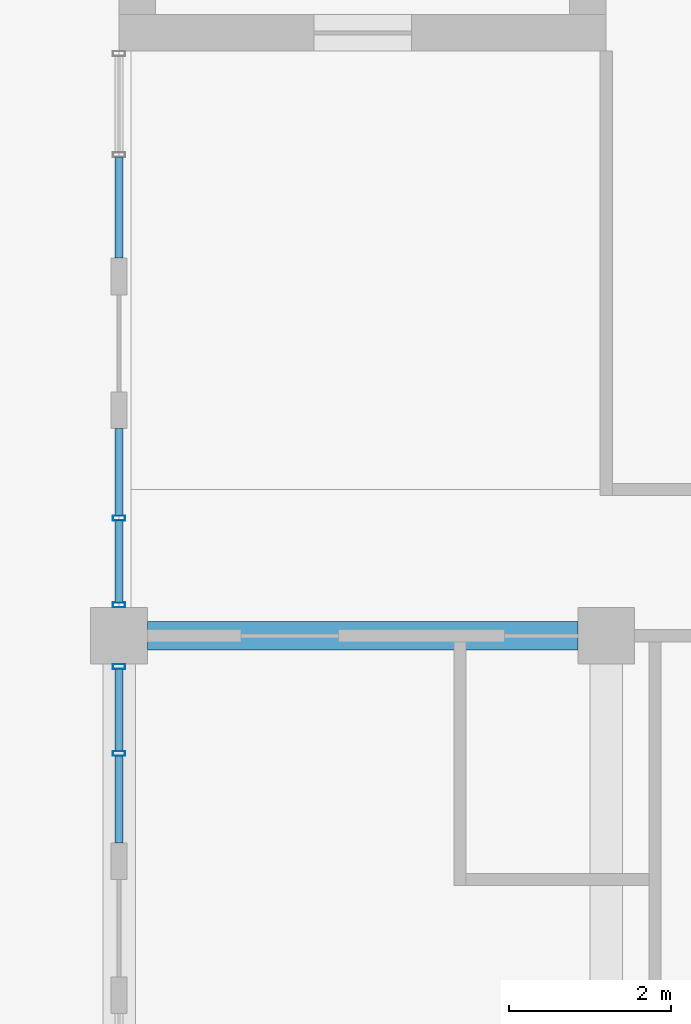
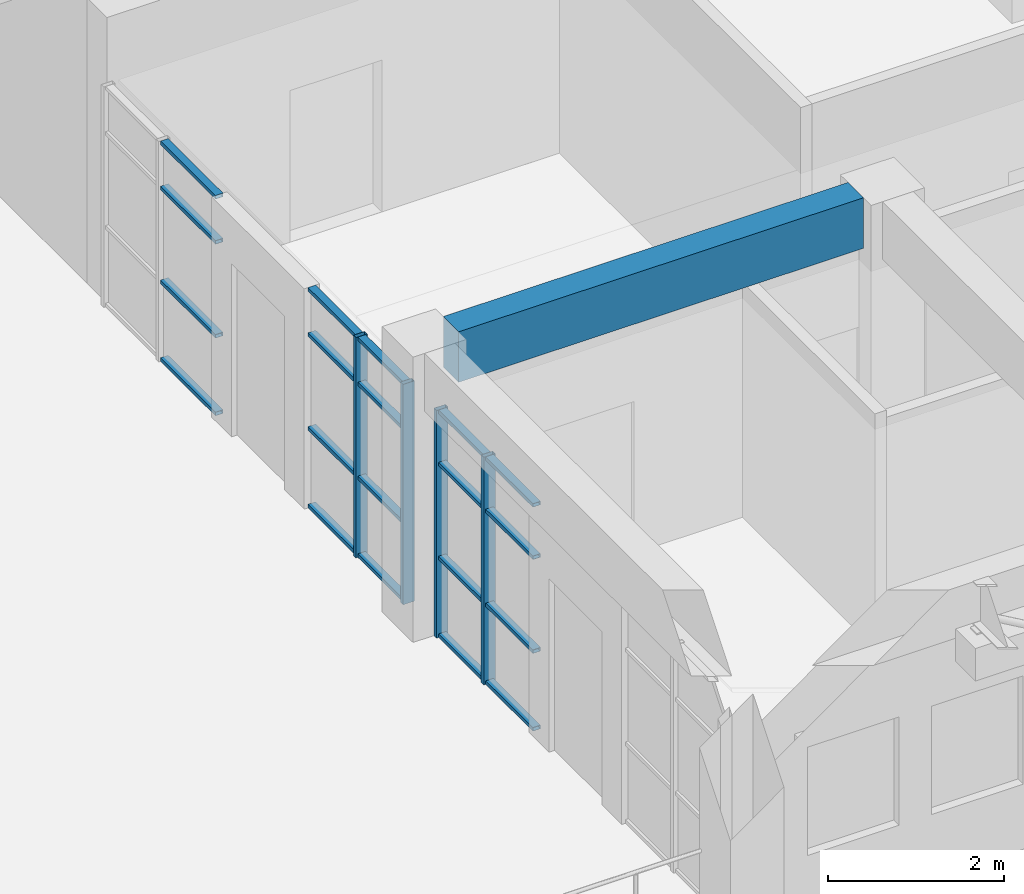
# One storey, part 32 of 103: 24 members, 1 beam, 3 elements without a shape of their own.
"""IFC4 building model written with IfcOpenShell, lengths in metres."""

from ifc_helpers import new_model, si_unit, direction, frame, origin, origin_2d, place, context, subcontext, project, spatial, rectangle, hollow_rectangle, extrude, material, material_profile, profile_set, type_object, element, aggregate, save


model = new_model("IFC4")

# Units and contexts
model_context = context("Model", 3, precision=1e-05, world=origin(), true_north=direction((0.0, 1.0)))
body_context = subcontext(model_context, "Body", "Model", "MODEL_VIEW")
ifc_project = project(units=[si_unit("LENGTHUNIT", "METRE"), si_unit("AREAUNIT", "SQUARE_METRE"), si_unit("VOLUMEUNIT", "CUBIC_METRE"), si_unit("PLANEANGLEUNIT", "RADIAN"), si_unit("MASSUNIT", "GRAM", prefix="KILO")], contexts=[model_context])

# Site, building, storey
site_placement = place(None, origin())
site = spatial("IfcSite", under=ifc_project, at=site_placement, CompositionType="ELEMENT")
building_placement = place(site_placement, origin())
building = spatial("IfcBuilding", under=site, at=building_placement, Name="Laocheng Heights Fire and Rescue Headquarters", CompositionType="ELEMENT")
storey_placement = place(building_placement, frame((0.0, 0.0, 4.199951171875)))
storey = spatial("IfcBuildingStorey", under=building, at=storey_placement, Name="L01", CompositionType="ELEMENT", Elevation=4.199951171875)

# Curtain wall, members
ifc_material_1 = material(Name="Dark anodised aluminium unitised curtain wall, low-e double glazing", Category="aluminium")
curtain_wall_type_1 = type_object("IfcCurtainWallType", Name="CW 2200 x 3150 CREW COURT GLAZING", PredefinedType="NOTDEFINED", material=ifc_material_1)
curtain_wall_1_placement = place(storey_placement, origin())
curtain_wall_1 = element("IfcCurtainWall", 1, at=curtain_wall_1_placement, inside=storey, type_object=curtain_wall_type_1, Name="X1-W CREW WEST L01", PredefinedType="NOTDEFINED")
ifc_material_2 = material(Name="Dark anodised aluminium 6063-T5 extrusion", Category="aluminium")
ifc_material_profile_1 = material_profile(ifc_material_2, hollow_rectangle(XDim=0.14990234375, YDim=0.06005859375, WallThickness=0.0029296875, at=origin_2d()), Name="AL MULLION 150x60x3 CREW COURT GLAZING")
ifc_profile_set_1 = profile_set([ifc_material_profile_1], Name="Dark anodised aluminium 6063-T5 extrusion")
member_type_1 = type_object("IfcMemberType", Name="AL MULLION 150x60x3 CREW COURT GLAZING", PredefinedType="MULLION", material=ifc_profile_set_1)
member_1_placement = place(storey_placement, frame((90.0, 41.75, 0.0), z_axis=(0.0, 0.0, 1.0), x_axis=(-1.0, 0.0, 0.0)))
member_1 = element("IfcMember", 2, at=member_1_placement, type_object=member_type_1, Name="X1-W mullion 2", PredefinedType="MULLION", context=body_context, shape_type="SweptSolid", body=[
    extrude(hollow_rectangle(XDim=0.14990234375, YDim=0.06005859375, WallThickness=0.0029296875, at=origin_2d()), origin(), (0.0, 0.0, 1.0), 3.150146484375),
])
member_2_placement = place(storey_placement, frame((90.0, 42.820068359375, 0.0), z_axis=(0.0, 0.0, 1.0), x_axis=(-1.0, 0.0, 0.0)))
member_2 = element("IfcMember", 3, at=member_2_placement, type_object=member_type_1, Name="X1-W mullion 3", PredefinedType="MULLION", context=body_context, shape_type="SweptSolid", body=[
    extrude(hollow_rectangle(XDim=0.14990234375, YDim=0.06005859375, WallThickness=0.0029296875, at=origin_2d()), origin(), (0.0, 0.0, 1.0), 3.150146484375),
])

ifc_material_3 = material(Name="Dark anodised aluminium unitised curtain wall, low-e double glazing", Category="aluminium")
curtain_wall_type_2 = type_object("IfcCurtainWallType", Name="CW 2200 x 3050 CREW COURT GLAZING", PredefinedType="NOTDEFINED", material=ifc_material_3)
curtain_wall_2_placement = place(storey_placement, origin())
curtain_wall_2 = element("IfcCurtainWall", 4, at=curtain_wall_2_placement, inside=storey, type_object=curtain_wall_type_2, Name="X2-W CREW WEST L01", PredefinedType="NOTDEFINED")
member_3_placement = place(storey_placement, frame((90.0, 43.580078125, 0.0), z_axis=(0.0, 0.0, 1.0), x_axis=(-1.0, 0.0, 0.0)))
member_3 = element("IfcMember", 5, at=member_3_placement, type_object=member_type_1, Name="X2-W mullion 1", PredefinedType="MULLION", context=body_context, shape_type="SweptSolid", body=[
    extrude(hollow_rectangle(XDim=0.14990234375, YDim=0.06005859375, WallThickness=0.0029296875, at=origin_2d()), origin(), (0.0, 0.0, 1.0), 3.050048828125),
])
member_4_placement = place(storey_placement, frame((90.0, 44.64990234375, 0.0), z_axis=(0.0, 0.0, 1.0), x_axis=(-1.0, 0.0, 0.0)))
member_4 = element("IfcMember", 6, at=member_4_placement, type_object=member_type_1, Name="X2-W mullion 2", PredefinedType="MULLION", context=body_context, shape_type="SweptSolid", body=[
    extrude(hollow_rectangle(XDim=0.14990234375, YDim=0.06005859375, WallThickness=0.0029296875, at=origin_2d()), origin(), (0.0, 0.0, 1.0), 3.050048828125),
])

# Member
ifc_material_4 = material(Name="Dark anodised aluminium 6063-T5 extrusion", Category="aluminium")
ifc_material_profile_2 = material_profile(ifc_material_4, hollow_rectangle(XDim=0.10009765625, YDim=0.050048828125, WallThickness=0.0029296875, at=origin_2d()), Name="AL TRANSOM 100x50x3 CREW COURT GLAZING")
ifc_profile_set_2 = profile_set([ifc_material_profile_2], Name="Dark anodised aluminium 6063-T5 extrusion")
member_type_2 = type_object("IfcMemberType", Name="AL TRANSOM 100x50x3 CREW COURT GLAZING", PredefinedType="USERDEFINED", material=ifc_profile_set_2)
member_5_placement = place(storey_placement, frame((90.0, 40.64990234375, 0.025146484375), z_axis=(0.0, 1.0, 0.0), x_axis=(-1.0, 0.0, 0.0)))
member_5 = element("IfcMember", 7, at=member_5_placement, type_object=member_type_2, Name="X1-W transom 1.1", ObjectType="TRANSOM", PredefinedType="USERDEFINED", context=body_context, shape_type="SweptSolid", body=[
    extrude(hollow_rectangle(XDim=0.10009765625, YDim=0.050048828125, WallThickness=0.0029296875, at=origin_2d()), origin(), (0.0, 0.0, 1.0), 1.070068359375),
])

member_6_placement = place(storey_placement, frame((90.0, 40.64990234375, 1.10009765625), z_axis=(0.0, 1.0, 0.0), x_axis=(-1.0, 0.0, 0.0)))
member_6 = element("IfcMember", 8, at=member_6_placement, type_object=member_type_2, Name="X1-W transom 1.2", ObjectType="TRANSOM", PredefinedType="USERDEFINED", context=body_context, shape_type="SweptSolid", body=[
    extrude(hollow_rectangle(XDim=0.10009765625, YDim=0.050048828125, WallThickness=0.0029296875, at=origin_2d()), origin(), (0.0, 0.0, 1.0), 1.070068359375),
])

member_7_placement = place(storey_placement, frame((90.0, 40.64990234375, 2.400146484375), z_axis=(0.0, 1.0, 0.0), x_axis=(-1.0, 0.0, 0.0)))
member_7 = element("IfcMember", 9, at=member_7_placement, type_object=member_type_2, Name="X1-W transom 1.3", ObjectType="TRANSOM", PredefinedType="USERDEFINED", context=body_context, shape_type="SweptSolid", body=[
    extrude(hollow_rectangle(XDim=0.10009765625, YDim=0.050048828125, WallThickness=0.0029296875, at=origin_2d()), origin(), (0.0, 0.0, 1.0), 1.070068359375),
])

member_8_placement = place(storey_placement, frame((90.0, 40.64990234375, 3.125), z_axis=(0.0, 1.0, 0.0), x_axis=(-1.0, 0.0, 0.0)))
member_8 = element("IfcMember", 10, at=member_8_placement, type_object=member_type_2, Name="X1-W transom 1.4", ObjectType="TRANSOM", PredefinedType="USERDEFINED", context=body_context, shape_type="SweptSolid", body=[
    extrude(hollow_rectangle(XDim=0.10009765625, YDim=0.050048828125, WallThickness=0.0029296875, at=origin_2d()), origin(), (0.0, 0.0, 1.0), 1.070068359375),
])

member_9_placement = place(storey_placement, frame((90.0, 41.780029296875, 0.025146484375), z_axis=(0.0, 1.0, 0.0), x_axis=(-1.0, 0.0, 0.0)))
member_9 = element("IfcMember", 11, at=member_9_placement, type_object=member_type_2, Name="X1-W transom 2.1", ObjectType="TRANSOM", PredefinedType="USERDEFINED", context=body_context, shape_type="SweptSolid", body=[
    extrude(hollow_rectangle(XDim=0.10009765625, YDim=0.050048828125, WallThickness=0.0029296875, at=origin_2d()), origin(), (0.0, 0.0, 1.0), 1.010009765625),
])

member_10_placement = place(storey_placement, frame((90.0, 41.780029296875, 1.10009765625), z_axis=(0.0, 1.0, 0.0), x_axis=(-1.0, 0.0, 0.0)))
member_10 = element("IfcMember", 12, at=member_10_placement, type_object=member_type_2, Name="X1-W transom 2.2", ObjectType="TRANSOM", PredefinedType="USERDEFINED", context=body_context, shape_type="SweptSolid", body=[
    extrude(hollow_rectangle(XDim=0.10009765625, YDim=0.050048828125, WallThickness=0.0029296875, at=origin_2d()), origin(), (0.0, 0.0, 1.0), 1.010009765625),
])

member_11_placement = place(storey_placement, frame((90.0, 41.780029296875, 2.400146484375), z_axis=(0.0, 1.0, 0.0), x_axis=(-1.0, 0.0, 0.0)))
member_11 = element("IfcMember", 13, at=member_11_placement, type_object=member_type_2, Name="X1-W transom 2.3", ObjectType="TRANSOM", PredefinedType="USERDEFINED", context=body_context, shape_type="SweptSolid", body=[
    extrude(hollow_rectangle(XDim=0.10009765625, YDim=0.050048828125, WallThickness=0.0029296875, at=origin_2d()), origin(), (0.0, 0.0, 1.0), 1.010009765625),
])

member_12_placement = place(storey_placement, frame((90.0, 41.780029296875, 3.125), z_axis=(0.0, 1.0, 0.0), x_axis=(-1.0, 0.0, 0.0)))
member_12 = element("IfcMember", 14, at=member_12_placement, type_object=member_type_2, Name="X1-W transom 2.4", ObjectType="TRANSOM", PredefinedType="USERDEFINED", context=body_context, shape_type="SweptSolid", body=[
    extrude(hollow_rectangle(XDim=0.10009765625, YDim=0.050048828125, WallThickness=0.0029296875, at=origin_2d()), origin(), (0.0, 0.0, 1.0), 1.010009765625),
])

aggregate(curtain_wall_1, [member_1, member_2, member_5, member_6, member_7, member_8, member_9, member_10, member_11, member_12])

member_13_placement = place(storey_placement, frame((90.0, 43.610107421875, 0.025146484375), z_axis=(0.0, 1.0, 0.0), x_axis=(-1.0, 0.0, 0.0)))
member_13 = element("IfcMember", 15, at=member_13_placement, type_object=member_type_2, Name="X2-W transom 1.1", ObjectType="TRANSOM", PredefinedType="USERDEFINED", context=body_context, shape_type="SweptSolid", body=[
    extrude(hollow_rectangle(XDim=0.10009765625, YDim=0.050048828125, WallThickness=0.0029296875, at=origin_2d()), origin(), (0.0, 0.0, 1.0), 1.010009765625),
])

member_14_placement = place(storey_placement, frame((90.0, 43.610107421875, 1.10009765625), z_axis=(0.0, 1.0, 0.0), x_axis=(-1.0, 0.0, 0.0)))
member_14 = element("IfcMember", 16, at=member_14_placement, type_object=member_type_2, Name="X2-W transom 1.2", ObjectType="TRANSOM", PredefinedType="USERDEFINED", context=body_context, shape_type="SweptSolid", body=[
    extrude(hollow_rectangle(XDim=0.10009765625, YDim=0.050048828125, WallThickness=0.0029296875, at=origin_2d()), origin(), (0.0, 0.0, 1.0), 1.010009765625),
])

member_15_placement = place(storey_placement, frame((90.0, 43.610107421875, 2.400146484375), z_axis=(0.0, 1.0, 0.0), x_axis=(-1.0, 0.0, 0.0)))
member_15 = element("IfcMember", 17, at=member_15_placement, type_object=member_type_2, Name="X2-W transom 1.3", ObjectType="TRANSOM", PredefinedType="USERDEFINED", context=body_context, shape_type="SweptSolid", body=[
    extrude(hollow_rectangle(XDim=0.10009765625, YDim=0.050048828125, WallThickness=0.0029296875, at=origin_2d()), origin(), (0.0, 0.0, 1.0), 1.010009765625),
])

member_16_placement = place(storey_placement, frame((90.0, 43.610107421875, 3.025146484375), z_axis=(0.0, 1.0, 0.0), x_axis=(-1.0, 0.0, 0.0)))
member_16 = element("IfcMember", 18, at=member_16_placement, type_object=member_type_2, Name="X2-W transom 1.4", ObjectType="TRANSOM", PredefinedType="USERDEFINED", context=body_context, shape_type="SweptSolid", body=[
    extrude(hollow_rectangle(XDim=0.10009765625, YDim=0.050048828125, WallThickness=0.0029296875, at=origin_2d()), origin(), (0.0, 0.0, 1.0), 1.010009765625),
])

member_17_placement = place(storey_placement, frame((90.0, 44.679931640625, 0.025146484375), z_axis=(0.0, 1.0, 0.0), x_axis=(-1.0, 0.0, 0.0)))
member_17 = element("IfcMember", 19, at=member_17_placement, type_object=member_type_2, Name="X2-W transom 2.1", ObjectType="TRANSOM", PredefinedType="USERDEFINED", context=body_context, shape_type="SweptSolid", body=[
    extrude(hollow_rectangle(XDim=0.10009765625, YDim=0.050048828125, WallThickness=0.0029296875, at=origin_2d()), origin(), (0.0, 0.0, 1.0), 1.070068359375),
])

member_18_placement = place(storey_placement, frame((90.0, 44.679931640625, 1.10009765625), z_axis=(0.0, 1.0, 0.0), x_axis=(-1.0, 0.0, 0.0)))
member_18 = element("IfcMember", 20, at=member_18_placement, type_object=member_type_2, Name="X2-W transom 2.2", ObjectType="TRANSOM", PredefinedType="USERDEFINED", context=body_context, shape_type="SweptSolid", body=[
    extrude(hollow_rectangle(XDim=0.10009765625, YDim=0.050048828125, WallThickness=0.0029296875, at=origin_2d()), origin(), (0.0, 0.0, 1.0), 1.070068359375),
])

member_19_placement = place(storey_placement, frame((90.0, 44.679931640625, 2.400146484375), z_axis=(0.0, 1.0, 0.0), x_axis=(-1.0, 0.0, 0.0)))
member_19 = element("IfcMember", 21, at=member_19_placement, type_object=member_type_2, Name="X2-W transom 2.3", ObjectType="TRANSOM", PredefinedType="USERDEFINED", context=body_context, shape_type="SweptSolid", body=[
    extrude(hollow_rectangle(XDim=0.10009765625, YDim=0.050048828125, WallThickness=0.0029296875, at=origin_2d()), origin(), (0.0, 0.0, 1.0), 1.070068359375),
])

member_20_placement = place(storey_placement, frame((90.0, 44.679931640625, 3.025146484375), z_axis=(0.0, 1.0, 0.0), x_axis=(-1.0, 0.0, 0.0)))
member_20 = element("IfcMember", 22, at=member_20_placement, type_object=member_type_2, Name="X2-W transom 2.4", ObjectType="TRANSOM", PredefinedType="USERDEFINED", context=body_context, shape_type="SweptSolid", body=[
    extrude(hollow_rectangle(XDim=0.10009765625, YDim=0.050048828125, WallThickness=0.0029296875, at=origin_2d()), origin(), (0.0, 0.0, 1.0), 1.070068359375),
])

aggregate(curtain_wall_2, [member_3, member_4, member_13, member_14, member_15, member_16, member_17, member_18, member_19, member_20])

# Curtain wall, members
ifc_material_5 = material(Name="Dark anodised aluminium unitised curtain wall, low-e double glazing", Category="aluminium")
curtain_wall_type_3 = type_object("IfcCurtainWallType", Name="CW 2550 x 3050 CREW COURT GLAZING", PredefinedType="NOTDEFINED", material=ifc_material_5)
curtain_wall_3_placement = place(storey_placement, origin())
curtain_wall_3 = element("IfcCurtainWall", 23, at=curtain_wall_3_placement, inside=storey, type_object=curtain_wall_type_3, Name="X3-W CREW WEST L01", PredefinedType="NOTDEFINED")
member_21_placement = place(storey_placement, frame((90.0, 47.85009765625, 0.025146484375), z_axis=(0.0, 1.0, 0.0), x_axis=(-1.0, 0.0, 0.0)))
member_21 = element("IfcMember", 24, at=member_21_placement, type_object=member_type_2, Name="X3-W transom 1.1", ObjectType="TRANSOM", PredefinedType="USERDEFINED", context=body_context, shape_type="SweptSolid", body=[
    extrude(hollow_rectangle(XDim=0.10009765625, YDim=0.050048828125, WallThickness=0.0029296875, at=origin_2d()), origin(), (0.0, 0.0, 1.0), 1.244873046875),
])
member_22_placement = place(storey_placement, frame((90.0, 47.85009765625, 1.10009765625), z_axis=(0.0, 1.0, 0.0), x_axis=(-1.0, 0.0, 0.0)))
member_22 = element("IfcMember", 25, at=member_22_placement, type_object=member_type_2, Name="X3-W transom 1.2", ObjectType="TRANSOM", PredefinedType="USERDEFINED", context=body_context, shape_type="SweptSolid", body=[
    extrude(hollow_rectangle(XDim=0.10009765625, YDim=0.050048828125, WallThickness=0.0029296875, at=origin_2d()), origin(), (0.0, 0.0, 1.0), 1.244873046875),
])
member_23_placement = place(storey_placement, frame((90.0, 47.85009765625, 2.400146484375), z_axis=(0.0, 1.0, 0.0), x_axis=(-1.0, 0.0, 0.0)))
member_23 = element("IfcMember", 26, at=member_23_placement, type_object=member_type_2, Name="X3-W transom 1.3", ObjectType="TRANSOM", PredefinedType="USERDEFINED", context=body_context, shape_type="SweptSolid", body=[
    extrude(hollow_rectangle(XDim=0.10009765625, YDim=0.050048828125, WallThickness=0.0029296875, at=origin_2d()), origin(), (0.0, 0.0, 1.0), 1.244873046875),
])
member_24_placement = place(storey_placement, frame((90.0, 47.85009765625, 3.025146484375), z_axis=(0.0, 1.0, 0.0), x_axis=(-1.0, 0.0, 0.0)))
member_24 = element("IfcMember", 27, at=member_24_placement, type_object=member_type_2, Name="X3-W transom 1.4", ObjectType="TRANSOM", PredefinedType="USERDEFINED", context=body_context, shape_type="SweptSolid", body=[
    extrude(hollow_rectangle(XDim=0.10009765625, YDim=0.050048828125, WallThickness=0.0029296875, at=origin_2d()), origin(), (0.0, 0.0, 1.0), 1.244873046875),
])
aggregate(curtain_wall_3, [member_21, member_22, member_23, member_24])

# Beam
ifc_material_6 = material(Name="Concrete C40", Category="concrete")
ifc_material_profile_3 = material_profile(ifc_material_6, rectangle(XDim=0.35009765625, YDim=0.699951171875, at=origin_2d()), Name="RC BEAM 350x700 CREW")
ifc_profile_set_3 = profile_set([ifc_material_profile_3], Name="Concrete C40")
beam_type = type_object("IfcBeamType", Name="RC BEAM 350x700 CREW", PredefinedType="BEAM", material=ifc_profile_set_3)
beam_placement = place(storey_placement, frame((90.35009765625, 43.199951171875, 3.60009765625), z_axis=(1.0, 0.0, 0.0), x_axis=(0.0, 1.0, 0.0)))
element("IfcBeam", 28, at=beam_placement, inside=storey, type_object=beam_type, Name="Crew beam L01", PredefinedType="BEAM", context=body_context, shape_type="SweptSolid", body=[
    extrude(rectangle(XDim=0.35009765625, YDim=0.699951171875, at=origin_2d()), origin(), (0.0, 0.0, 1.0), 5.2998046875),
])

save(model, "model.ifc")
